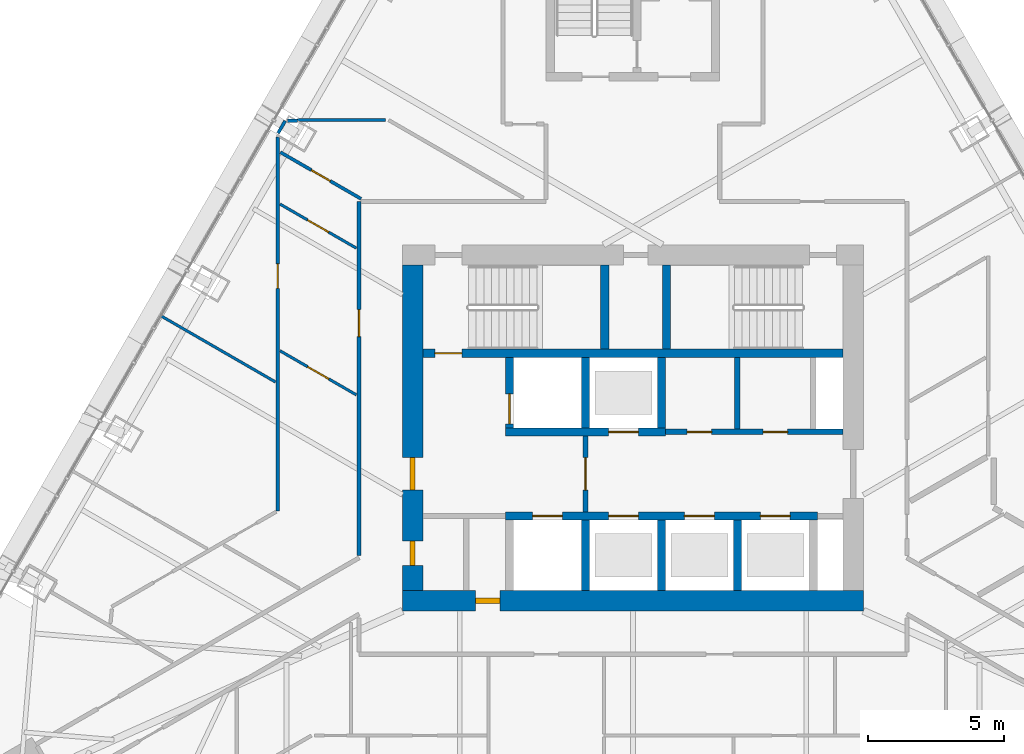
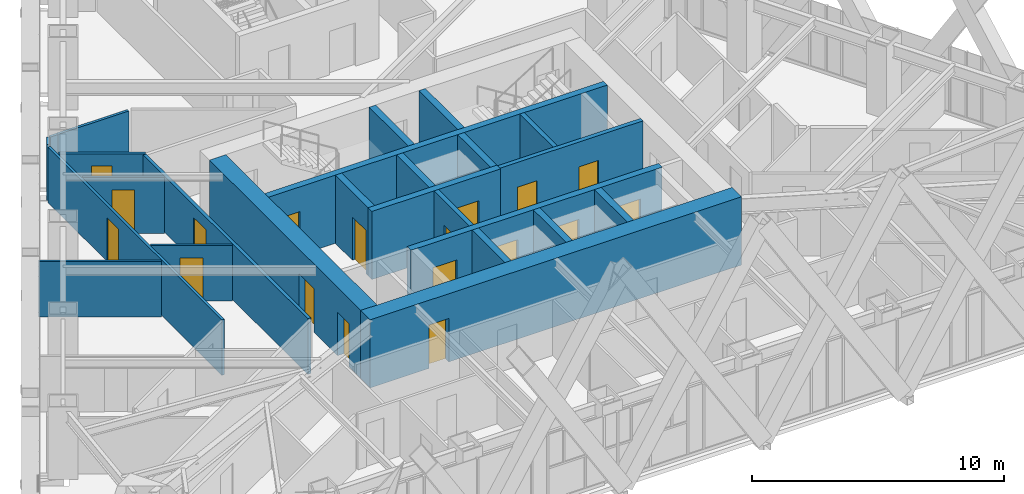
# One storey, part 17 of 21: 25 walls, 18 doors, 18 openings.
"""IFC4 building model written with IfcOpenShell, lengths in metres."""

from ifc_helpers import new_model, si_unit, direction, frame, frame_2d, origin, place, context, subcontext, project, spatial, rectangle, extrude, material, layer, layer_set, type_object, element, fill, save


model = new_model("IFC4")

# Units and contexts
model_context = context("Model", 3, precision=1e-05, world=origin(), true_north=direction((0.0, 1.0)))
body_context = subcontext(model_context, "Body", "Model", "MODEL_VIEW")
ifc_project = project(units=[si_unit("LENGTHUNIT", "METRE"), si_unit("AREAUNIT", "SQUARE_METRE"), si_unit("VOLUMEUNIT", "CUBIC_METRE"), si_unit("PLANEANGLEUNIT", "RADIAN"), si_unit("MASSUNIT", "GRAM", prefix="KILO")], contexts=[model_context])

# Site, building, storey
site_placement = place(None, origin())
site = spatial("IfcSite", under=ifc_project, at=site_placement, CompositionType="ELEMENT")
building_placement = place(site_placement, origin())
building = spatial("IfcBuilding", under=site, at=building_placement, Name="Firuza Gate Tower and Library", CompositionType="ELEMENT")
storey_placement = place(building_placement, frame((0.0, 0.0, 281.10009765625)))
storey = spatial("IfcBuildingStorey", under=building, at=storey_placement, Name="L67", CompositionType="ELEMENT", Elevation=281.10009765625)

# Wall, openings, doors
ifc_material_1 = material(Name="Plasterboard on steel studs", Category="steel")
ifc_layer_1 = layer(ifc_material_1, 0.199951171875)
ifc_layer_set_1 = layer_set([ifc_layer_1], Name="Core partition 200 EI 120")
wall_type_1 = type_object("IfcWallType", Name="Core partition 200 EI 120", PredefinedType="PARTITIONING", material=ifc_layer_set_1)
wall_1_placement = place(storey_placement, frame((76.199951171875, 74.85009765625, 0.0), z_axis=(0.0, 0.0, 1.0), x_axis=(1.0, 0.0, 0.0)))
wall_1 = element("IfcWall", 1, at=wall_1_placement, inside=storey, type_object=wall_type_1, Name="Core partition L67 3", PredefinedType="PARTITIONING", context=body_context, shape_type="SweptSolid", body=[
    extrude(rectangle(XDim=6.550048828125, YDim=0.199951171875, at=frame_2d((3.27490234375, 0.0))), origin(), (0.0, 0.0, 1.0), 3.2998046875),
])
opening_1_placement = place(wall_1_placement, frame((0.800048828125, 0.0, 0.0)))
opening_1 = element("IfcOpeningElement", 2, at=opening_1_placement, cuts=wall_1, Name="Opening L67-K19", PredefinedType="OPENING", context=body_context, shape_type="SweptSolid", body=[
    extrude(rectangle(XDim=0.89990234375, YDim=2.10009765625, at=frame_2d((0.449951171875, 1.050048828125))), frame((0.0, 0.10986328125, 0.0), z_axis=(0.0, -1.0, 0.0), x_axis=(1.0, 0.0, 0.0)), (0.0, 0.0, 1.0), 0.219970703125),
])
opening_2_placement = place(wall_1_placement, frame((3.60009765625, 0.0, 0.0)))
opening_2 = element("IfcOpeningElement", 3, at=opening_2_placement, cuts=wall_1, Name="Opening L67-K20", PredefinedType="OPENING", context=body_context, shape_type="SweptSolid", body=[
    extrude(rectangle(XDim=0.89990234375, YDim=2.10009765625, at=frame_2d((0.449951171875, 1.050048828125))), frame((0.0, 0.10986328125, 0.0), z_axis=(0.0, -1.0, 0.0), x_axis=(1.0, 0.0, 0.0)), (0.0, 0.0, 1.0), 0.219970703125),
])
ifc_material_2 = material(Name="Steel", Category="steel")
door_type_1 = type_object("IfcDoorType", Name="Fire door 900x2100 FD30S", OperationType="NOTDEFINED", PredefinedType="DOOR", material=ifc_material_2)
door_1_placement = place(opening_1_placement, origin())
door_1 = element("IfcDoor", 4, at=door_1_placement, inside=storey, type_object=door_type_1, Name="Door L67-K19", OperationType="SINGLE_SWING_RIGHT", OverallHeight=2.10009765625, OverallWidth=0.89990234375, PredefinedType="DOOR", context=body_context, shape_type="SweptSolid", body=[
    extrude(rectangle(XDim=0.89990234375, YDim=2.10009765625, at=frame_2d((0.449951171875, 1.050048828125))), frame((0.0, 0.02490234375, 0.0), z_axis=(0.0, -1.0, 0.0), x_axis=(1.0, 0.0, 0.0)), (0.0, 0.0, 1.0), 0.050048828125),
])
fill(opening_1, door_1)
door_2_placement = place(opening_2_placement, origin())
door_2 = element("IfcDoor", 5, at=door_2_placement, inside=storey, type_object=door_type_1, Name="Door L67-K20", OperationType="SINGLE_SWING_LEFT", OverallHeight=2.10009765625, OverallWidth=0.89990234375, PredefinedType="DOOR", context=body_context, shape_type="SweptSolid", body=[
    extrude(rectangle(XDim=0.89990234375, YDim=2.10009765625, at=frame_2d((0.449951171875, 1.050048828125))), frame((0.0, 0.02490234375, 0.0), z_axis=(0.0, -1.0, 0.0), x_axis=(1.0, 0.0, 0.0)), (0.0, 0.0, 1.0), 0.050048828125),
])
fill(opening_2, door_2)

# Wall
wall_2_placement = place(storey_placement, frame((78.85009765625, 74.949951171875, 0.0), z_axis=(0.0, 0.0, 1.0), x_axis=(0.0, 1.0, 0.0)))
element("IfcWall", 6, at=wall_2_placement, inside=storey, type_object=wall_type_1, Name="Core partition L67 6", PredefinedType="PARTITIONING", context=body_context, shape_type="SweptSolid", body=[
    extrude(rectangle(XDim=2.650146484375, YDim=0.199951171875, at=frame_2d((1.3251953125, 0.0))), origin(), (0.0, 0.0, 1.0), 3.2998046875),
])

# Wall, opening, door
ifc_material_3 = material(Name="Plasterboard on steel studs", Category="steel")
ifc_layer_2 = layer(ifc_material_3, 0.199951171875)
ifc_layer_set_2 = layer_set([ifc_layer_2], Name="Core partition 200 EI 60")
wall_type_2 = type_object("IfcWallType", Name="Core partition 200 EI 60", PredefinedType="PARTITIONING", material=ifc_layer_set_2)
wall_3_placement = place(storey_placement, frame((73.25, 71.89990234375, 0.0), z_axis=(0.0, 0.0, 1.0), x_axis=(0.0, 1.0, 0.0)))
wall_3 = element("IfcWall", 7, at=wall_3_placement, inside=storey, type_object=wall_type_2, Name="Core partition L67 5", PredefinedType="PARTITIONING", context=body_context, shape_type="SweptSolid", body=[
    extrude(rectangle(XDim=2.800048828125, YDim=0.199951171875, at=frame_2d((1.39990234375, 0.0))), origin(), (0.0, 0.0, 1.0), 3.2998046875),
])
opening_3_placement = place(wall_3_placement, frame((0.800048828125, 0.0, 0.0)))
opening_3 = element("IfcOpeningElement", 8, at=opening_3_placement, cuts=wall_3, Name="Opening L67-K14", PredefinedType="OPENING", context=body_context, shape_type="SweptSolid", body=[
    extrude(rectangle(XDim=1.199951171875, YDim=2.10009765625, at=frame_2d((0.60009765625, 1.050048828125))), frame((0.0, 0.10986328125, 0.0), z_axis=(0.0, -1.0, 0.0), x_axis=(1.0, 0.0, 0.0)), (0.0, 0.0, 1.0), 0.219970703125),
])
ifc_material_4 = material(Name="Steel", Category="steel")
door_type_2 = type_object("IfcDoorType", Name="Fire door 1200x2100 FD90S", OperationType="NOTDEFINED", PredefinedType="DOOR", material=ifc_material_4)
door_3_placement = place(opening_3_placement, origin())
door_3 = element("IfcDoor", 9, at=door_3_placement, inside=storey, type_object=door_type_2, Name="Door L67-K14", OperationType="SINGLE_SWING_LEFT", OverallHeight=2.10009765625, OverallWidth=1.199951171875, PredefinedType="DOOR", context=body_context, shape_type="SweptSolid", body=[
    extrude(rectangle(XDim=1.199951171875, YDim=2.10009765625, at=frame_2d((0.60009765625, 1.050048828125))), frame((0.0, 0.02490234375, 0.0), z_axis=(0.0, -1.0, 0.0), x_axis=(1.0, 0.0, 0.0)), (0.0, 0.0, 1.0), 0.050048828125),
])
fill(opening_3, door_3)

# Wall, openings, doors
ifc_material_5 = material(Name="Concrete C60/75", Category="concrete")
ifc_layer_3 = layer(ifc_material_5, 0.300048828125)
ifc_layer_set_3 = layer_set([ifc_layer_3], Name="Core wall 300 C60/75")
wall_type_3 = type_object("IfcWallType", Name="Core wall 300 C60/75", PredefinedType="SHEAR", material=ifc_layer_set_3)
wall_4_placement = place(storey_placement, frame((70.300048828125, 71.75, 0.0), z_axis=(0.0, 0.0, 1.0), x_axis=(1.0, 0.0, 0.0)))
wall_4 = element("IfcWall", 10, at=wall_4_placement, inside=storey, type_object=wall_type_3, Name="Core wall L67 5", PredefinedType="SHEAR", context=body_context, shape_type="SweptSolid", body=[
    extrude(rectangle(XDim=11.5, YDim=0.300048828125, at=frame_2d((5.75, 0.0))), origin(), (0.0, 0.0, 1.0), 3.2998046875),
])
opening_4_placement = place(wall_4_placement, frame((1.0, 0.0, 0.0)))
opening_4 = element("IfcOpeningElement", 11, at=opening_4_placement, cuts=wall_4, Name="Opening LD-FF1-L67", PredefinedType="OPENING", context=body_context, shape_type="SweptSolid", body=[
    extrude(rectangle(XDim=1.10009765625, YDim=2.10009765625, at=frame_2d((0.550048828125, 1.050048828125))), frame((0.0, 0.16015625, 0.0), z_axis=(0.0, -1.0, 0.0), x_axis=(1.0, 0.0, 0.0)), (0.0, 0.0, 1.0), 0.320068359375),
])
opening_5_placement = place(wall_4_placement, frame((3.800048828125, 0.0, 0.0)))
opening_5 = element("IfcOpeningElement", 12, at=opening_5_placement, cuts=wall_4, Name="Opening LD-HR1-L67", PredefinedType="OPENING", context=body_context, shape_type="SweptSolid", body=[
    extrude(rectangle(XDim=1.10009765625, YDim=2.10009765625, at=frame_2d((0.550048828125, 1.050048828125))), frame((0.0, 0.16015625, 0.0), z_axis=(0.0, -1.0, 0.0), x_axis=(1.0, 0.0, 0.0)), (0.0, 0.0, 1.0), 0.320068359375),
])
opening_6_placement = place(wall_4_placement, frame((6.60009765625, 0.0, 0.0)))
opening_6 = element("IfcOpeningElement", 13, at=opening_6_placement, cuts=wall_4, Name="Opening LD-HR2-L67", PredefinedType="OPENING", context=body_context, shape_type="SweptSolid", body=[
    extrude(rectangle(XDim=1.10009765625, YDim=2.10009765625, at=frame_2d((0.550048828125, 1.050048828125))), frame((0.0, 0.16015625, 0.0), z_axis=(0.0, -1.0, 0.0), x_axis=(1.0, 0.0, 0.0)), (0.0, 0.0, 1.0), 0.320068359375),
])
opening_7_placement = place(wall_4_placement, frame((9.39990234375, 0.0, 0.0)))
opening_7 = element("IfcOpeningElement", 14, at=opening_7_placement, cuts=wall_4, Name="Opening LD-HR3-L67", PredefinedType="OPENING", context=body_context, shape_type="SweptSolid", body=[
    extrude(rectangle(XDim=1.10009765625, YDim=2.10009765625, at=frame_2d((0.550048828125, 1.050048828125))), frame((0.0, 0.16015625, 0.0), z_axis=(0.0, -1.0, 0.0), x_axis=(1.0, 0.0, 0.0)), (0.0, 0.0, 1.0), 0.320068359375),
])
ifc_material_6 = material(Name="Stainless steel", Category="steel")
door_type_3 = type_object("IfcDoorType", Name="Lift landing door 1100x2100", OperationType="DOUBLE_DOOR_SLIDING", PredefinedType="DOOR", material=ifc_material_6)
door_4_placement = place(opening_4_placement, origin())
door_4 = element("IfcDoor", 15, at=door_4_placement, inside=storey, type_object=door_type_3, Name="Landing door FF1 L67", OperationType="DOUBLE_DOOR_SLIDING", OverallHeight=2.10009765625, OverallWidth=1.10009765625, PredefinedType="DOOR", context=body_context, shape_type="SweptSolid", body=[
    extrude(rectangle(XDim=1.10009765625, YDim=2.10009765625, at=frame_2d((0.550048828125, 1.050048828125))), frame((0.0, 0.02490234375, 0.0), z_axis=(0.0, -1.0, 0.0), x_axis=(1.0, 0.0, 0.0)), (0.0, 0.0, 1.0), 0.050048828125),
])
fill(opening_4, door_4)
door_5_placement = place(opening_5_placement, origin())
door_5 = element("IfcDoor", 16, at=door_5_placement, inside=storey, type_object=door_type_3, Name="Landing door HR1 L67", OperationType="DOUBLE_DOOR_SLIDING", OverallHeight=2.10009765625, OverallWidth=1.10009765625, PredefinedType="DOOR", context=body_context, shape_type="SweptSolid", body=[
    extrude(rectangle(XDim=1.10009765625, YDim=2.10009765625, at=frame_2d((0.550048828125, 1.050048828125))), frame((0.0, 0.02490234375, 0.0), z_axis=(0.0, -1.0, 0.0), x_axis=(1.0, 0.0, 0.0)), (0.0, 0.0, 1.0), 0.050048828125),
])
fill(opening_5, door_5)
door_6_placement = place(opening_6_placement, origin())
door_6 = element("IfcDoor", 17, at=door_6_placement, inside=storey, type_object=door_type_3, Name="Landing door HR2 L67", OperationType="DOUBLE_DOOR_SLIDING", OverallHeight=2.10009765625, OverallWidth=1.10009765625, PredefinedType="DOOR", context=body_context, shape_type="SweptSolid", body=[
    extrude(rectangle(XDim=1.10009765625, YDim=2.10009765625, at=frame_2d((0.550048828125, 1.050048828125))), frame((0.0, 0.02490234375, 0.0), z_axis=(0.0, -1.0, 0.0), x_axis=(1.0, 0.0, 0.0)), (0.0, 0.0, 1.0), 0.050048828125),
])
fill(opening_6, door_6)
door_7_placement = place(opening_7_placement, origin())
door_7 = element("IfcDoor", 18, at=door_7_placement, inside=storey, type_object=door_type_3, Name="Landing door HR3 L67", OperationType="DOUBLE_DOOR_SLIDING", OverallHeight=2.10009765625, OverallWidth=1.10009765625, PredefinedType="DOOR", context=body_context, shape_type="SweptSolid", body=[
    extrude(rectangle(XDim=1.10009765625, YDim=2.10009765625, at=frame_2d((0.550048828125, 1.050048828125))), frame((0.0, 0.02490234375, 0.0), z_axis=(0.0, -1.0, 0.0), x_axis=(1.0, 0.0, 0.0)), (0.0, 0.0, 1.0), 0.050048828125),
])
fill(opening_7, door_7)

# Wall, opening, door
wall_5_placement = place(storey_placement, frame((70.300048828125, 74.85009765625, 0.0), z_axis=(0.0, 0.0, 1.0), x_axis=(1.0, 0.0, 0.0)))
wall_5 = element("IfcWall", 19, at=wall_5_placement, inside=storey, type_object=wall_type_3, Name="Core wall L67 6", PredefinedType="SHEAR", context=body_context, shape_type="SweptSolid", body=[
    extrude(rectangle(XDim=5.89990234375, YDim=0.300048828125, at=frame_2d((2.949951171875, 0.0))), origin(), (0.0, 0.0, 1.0), 3.2998046875),
])
opening_8_placement = place(wall_5_placement, frame((3.800048828125, 0.0, 0.0)))
opening_8 = element("IfcOpeningElement", 20, at=opening_8_placement, cuts=wall_5, Name="Opening LD-HR4-L67", PredefinedType="OPENING", context=body_context, shape_type="SweptSolid", body=[
    extrude(rectangle(XDim=1.10009765625, YDim=2.10009765625, at=frame_2d((0.550048828125, 1.050048828125))), frame((0.0, 0.16015625, 0.0), z_axis=(0.0, -1.0, 0.0), x_axis=(1.0, 0.0, 0.0)), (0.0, 0.0, 1.0), 0.320068359375),
])
door_8_placement = place(opening_8_placement, origin())
door_8 = element("IfcDoor", 21, at=door_8_placement, inside=storey, type_object=door_type_3, Name="Landing door HR4 L67", OperationType="DOUBLE_DOOR_SLIDING", OverallHeight=2.10009765625, OverallWidth=1.10009765625, PredefinedType="DOOR", context=body_context, shape_type="SweptSolid", body=[
    extrude(rectangle(XDim=1.10009765625, YDim=2.10009765625, at=frame_2d((0.550048828125, 1.050048828125))), frame((0.0, 0.02490234375, 0.0), z_axis=(0.0, -1.0, 0.0), x_axis=(1.0, 0.0, 0.0)), (0.0, 0.0, 1.0), 0.050048828125),
])
fill(opening_8, door_8)

wall_6_placement = place(storey_placement, frame((70.449951171875, 75.0, 0.0), z_axis=(0.0, 0.0, 1.0), x_axis=(0.0, 1.0, 0.0)))
wall_6 = element("IfcWall", 22, at=wall_6_placement, inside=storey, type_object=wall_type_3, Name="Core wall L67 8", PredefinedType="SHEAR", context=body_context, shape_type="SweptSolid", body=[
    extrude(rectangle(XDim=2.60009765625, YDim=0.300048828125, at=frame_2d((1.300048828125, 0.0))), origin(), (0.0, 0.0, 1.0), 3.2998046875),
])
opening_9_placement = place(wall_6_placement, frame((0.14990234375, 0.0, 0.0)))
opening_9 = element("IfcOpeningElement", 23, at=opening_9_placement, cuts=wall_6, Name="Opening LD-FF2-L67", PredefinedType="OPENING", context=body_context, shape_type="SweptSolid", body=[
    extrude(rectangle(XDim=1.10009765625, YDim=2.10009765625, at=frame_2d((0.550048828125, 1.050048828125))), frame((0.0, 0.16015625, 0.0), z_axis=(0.0, -1.0, 0.0), x_axis=(1.0, 0.0, 0.0)), (0.0, 0.0, 1.0), 0.320068359375),
])
door_9_placement = place(opening_9_placement, origin())
door_9 = element("IfcDoor", 24, at=door_9_placement, inside=storey, type_object=door_type_3, Name="Landing door FF2 L67", OperationType="DOUBLE_DOOR_SLIDING", OverallHeight=2.10009765625, OverallWidth=1.10009765625, PredefinedType="DOOR", context=body_context, shape_type="SweptSolid", body=[
    extrude(rectangle(XDim=1.10009765625, YDim=2.10009765625, at=frame_2d((0.550048828125, 1.050048828125))), frame((0.0, 0.02490234375, 0.0), z_axis=(0.0, -1.0, 0.0), x_axis=(1.0, 0.0, 0.0)), (0.0, 0.0, 1.0), 0.050048828125),
])
fill(opening_9, door_9)

# Walls
for number, where, z_axis, x_axis, name in (
    (25, (73.25, 69.0, 0.0), (0.0, 0.0, 1.0), (0.0, 1.0, 0.0), "Core wall L67 9"),
    (26, (73.25, 75.0, 0.0), (0.0, 0.0, 1.0), (0.0, 1.0, 0.0), "Core wall L67 10"),
    (27, (76.050048828125, 69.0, 0.0), (0.0, 0.0, 1.0), (0.0, 1.0, 0.0), "Core wall L67 11"),
    (28, (76.050048828125, 75.0, 0.0), (0.0, 0.0, 1.0), (0.0, 1.0, 0.0), "Core wall L67 12"),
    (29, (78.85009765625, 69.0, 0.0), (0.0, 0.0, 1.0), (0.0, 1.0, 0.0), "Core wall L67 13"),
):
    element("IfcWall", number, at=place(storey_placement, frame(where, z_axis=z_axis, x_axis=x_axis)), inside=storey, type_object=wall_type_3, Name=name, PredefinedType="SHEAR", context=body_context, shape_type="SweptSolid", body=[
        extrude(rectangle(XDim=2.60009765625, YDim=0.300048828125, at=frame_2d((1.300048828125, 0.0))), origin(), (0.0, 0.0, 1.0), 3.2998046875),
    ])

# Wall, opening, door
wall_7_placement = place(storey_placement, frame((67.25, 77.75, 0.0), z_axis=(0.0, 0.0, 1.0), x_axis=(1.0, 0.0, 0.0)))
wall_7 = element("IfcWall", 30, at=wall_7_placement, inside=storey, type_object=wall_type_3, Name="Core wall L67 15", PredefinedType="SHEAR", context=body_context, shape_type="SweptSolid", body=[
    extrude(rectangle(XDim=15.5, YDim=0.300048828125, at=frame_2d((7.75, 0.0))), origin(), (0.0, 0.0, 1.0), 3.2998046875),
])
opening_10_placement = place(wall_7_placement, frame((0.445068359375, 0.0, 0.0)))
opening_10 = element("IfcOpeningElement", 31, at=opening_10_placement, cuts=wall_7, Name="Opening L67-K08", PredefinedType="OPENING", context=body_context, shape_type="SweptSolid", body=[
    extrude(rectangle(XDim=1.0, YDim=2.10009765625, at=frame_2d((0.5, 1.050048828125))), frame((0.0, 0.16015625, 0.0), z_axis=(0.0, -1.0, 0.0), x_axis=(1.0, 0.0, 0.0)), (0.0, 0.0, 1.0), 0.320068359375),
])
ifc_material_7 = material(Name="Steel", Category="steel")
door_type_4 = type_object("IfcDoorType", Name="Fire door 1000x2100 FD90", OperationType="NOTDEFINED", PredefinedType="DOOR", material=ifc_material_7)
door_10_placement = place(opening_10_placement, origin())
door_10 = element("IfcDoor", 32, at=door_10_placement, inside=storey, type_object=door_type_4, Name="Door L67-K08", OperationType="SINGLE_SWING_LEFT", OverallHeight=2.10009765625, OverallWidth=1.0, PredefinedType="DOOR", context=body_context, shape_type="SweptSolid", body=[
    extrude(rectangle(XDim=1.0, YDim=2.10009765625, at=frame_2d((0.5, 1.050048828125))), frame((0.0, 0.02490234375, 0.0), z_axis=(0.0, -1.0, 0.0), x_axis=(1.0, 0.0, 0.0)), (0.0, 0.0, 1.0), 0.050048828125),
])
fill(opening_10, door_10)

# Walls
for number, where, z_axis, x_axis, name in (
    (33, (73.9599609375, 77.89990234375, 0.0), (0.0, 0.0, 1.0), (0.0, 1.0, 0.0), "Core wall L67 16"),
    (34, (76.239990234375, 77.89990234375, 0.0), (0.0, 0.0, 1.0), (0.0, 1.0, 0.0), "Core wall L67 17"),
):
    element("IfcWall", number, at=place(storey_placement, frame(where, z_axis=z_axis, x_axis=x_axis)), inside=storey, type_object=wall_type_3, Name=name, PredefinedType="SHEAR", context=body_context, shape_type="SweptSolid", body=[
        extrude(rectangle(XDim=3.10009765625, YDim=0.300048828125, at=frame_2d((1.550048828125, 0.0))), origin(), (0.0, 0.0, 1.0), 3.2998046875),
    ])

# Wall, opening, door
ifc_material_8 = material(Name="Concrete C60/75", Category="concrete")
ifc_layer_4 = layer(ifc_material_8, 0.75)
ifc_layer_set_4 = layer_set([ifc_layer_4], Name="Core wall 750 C60/75")
wall_type_4 = type_object("IfcWallType", Name="Core wall 750 C60/75", PredefinedType="SHEAR", material=ifc_layer_set_4)
wall_8_placement = place(storey_placement, frame((66.5, 68.625, 0.0), z_axis=(0.0, 0.0, 1.0), x_axis=(1.0, 0.0, 0.0)))
wall_8 = element("IfcWall", 35, at=wall_8_placement, inside=storey, type_object=wall_type_4, Name="Core wall L67 1", PredefinedType="SHEAR", context=body_context, shape_type="SweptSolid", body=[
    extrude(rectangle(XDim=17.0, YDim=0.75, at=frame_2d((8.5, 0.0))), origin(), (0.0, 0.0, 1.0), 3.2998046875),
])
opening_11_placement = place(wall_8_placement, frame((2.699951171875, 0.0, 0.0)))
opening_11 = element("IfcOpeningElement", 36, at=opening_11_placement, cuts=wall_8, Name="Opening L67-K18", PredefinedType="OPENING", context=body_context, shape_type="SweptSolid", body=[
    extrude(rectangle(XDim=0.89990234375, YDim=2.10009765625, at=frame_2d((0.449951171875, 1.050048828125))), frame((0.0, 0.385009765625, 0.0), z_axis=(0.0, -1.0, 0.0), x_axis=(1.0, 0.0, 0.0)), (0.0, 0.0, 1.0), 0.77001953125),
])
door_11_placement = place(opening_11_placement, origin())
door_11 = element("IfcDoor", 37, at=door_11_placement, inside=storey, type_object=door_type_1, Name="Door L67-K18", OperationType="SINGLE_SWING_LEFT", OverallHeight=2.10009765625, OverallWidth=0.89990234375, PredefinedType="DOOR", context=body_context, shape_type="SweptSolid", body=[
    extrude(rectangle(XDim=0.89990234375, YDim=2.10009765625, at=frame_2d((0.449951171875, 1.050048828125))), frame((0.0, 0.094970703125, 0.0), z_axis=(0.0, -1.0, 0.0), x_axis=(1.0, 0.0, 0.0)), (0.0, 0.0, 1.0), 0.18994140625),
])
fill(opening_11, door_11)

# Wall, openings, doors
wall_9_placement = place(storey_placement, frame((66.875, 69.0, 0.0), z_axis=(0.0, 0.0, 1.0), x_axis=(0.0, 1.0, 0.0)))
wall_9 = element("IfcWall", 38, at=wall_9_placement, inside=storey, type_object=wall_type_4, Name="Core wall L67 3", PredefinedType="SHEAR", context=body_context, shape_type="SweptSolid", body=[
    extrude(rectangle(XDim=12.0, YDim=0.75, at=frame_2d((6.0, 0.0))), origin(), (0.0, 0.0, 1.0), 3.2998046875),
])
opening_12_placement = place(wall_9_placement, frame((3.699951171875, 0.0, 0.0)))
opening_12 = element("IfcOpeningElement", 39, at=opening_12_placement, cuts=wall_9, Name="Opening L67-K15", PredefinedType="OPENING", context=body_context, shape_type="SweptSolid", body=[
    extrude(rectangle(XDim=1.199951171875, YDim=2.10009765625, at=frame_2d((0.60009765625, 1.050048828125))), frame((0.0, 0.385009765625, 0.0), z_axis=(0.0, -1.0, 0.0), x_axis=(1.0, 0.0, 0.0)), (0.0, 0.0, 1.0), 0.77001953125),
])
opening_13_placement = place(wall_9_placement, frame((0.925048828125, 0.0, 0.0)))
opening_13 = element("IfcOpeningElement", 40, at=opening_13_placement, cuts=wall_9, Name="Opening L67-K17", PredefinedType="OPENING", context=body_context, shape_type="SweptSolid", body=[
    extrude(rectangle(XDim=0.89990234375, YDim=2.10009765625, at=frame_2d((0.449951171875, 1.050048828125))), frame((0.0, 0.385009765625, 0.0), z_axis=(0.0, -1.0, 0.0), x_axis=(1.0, 0.0, 0.0)), (0.0, 0.0, 1.0), 0.77001953125),
])
door_12_placement = place(opening_12_placement, origin())
door_12 = element("IfcDoor", 41, at=door_12_placement, inside=storey, type_object=door_type_2, Name="Door L67-K15", OperationType="SINGLE_SWING_RIGHT", OverallHeight=2.10009765625, OverallWidth=1.199951171875, PredefinedType="DOOR", context=body_context, shape_type="SweptSolid", body=[
    extrude(rectangle(XDim=1.199951171875, YDim=2.10009765625, at=frame_2d((0.60009765625, 1.050048828125))), frame((0.0, 0.094970703125, 0.0), z_axis=(0.0, -1.0, 0.0), x_axis=(1.0, 0.0, 0.0)), (0.0, 0.0, 1.0), 0.18994140625),
])
fill(opening_12, door_12)
door_13_placement = place(opening_13_placement, origin())
door_13 = element("IfcDoor", 42, at=door_13_placement, inside=storey, type_object=door_type_1, Name="Door L67-K17", OperationType="SINGLE_SWING_RIGHT", OverallHeight=2.10009765625, OverallWidth=0.89990234375, PredefinedType="DOOR", context=body_context, shape_type="SweptSolid", body=[
    extrude(rectangle(XDim=0.89990234375, YDim=2.10009765625, at=frame_2d((0.449951171875, 1.050048828125))), frame((0.0, 0.094970703125, 0.0), z_axis=(0.0, -1.0, 0.0), x_axis=(1.0, 0.0, 0.0)), (0.0, 0.0, 1.0), 0.18994140625),
])
fill(opening_13, door_13)

# Wall, opening, door
ifc_material_9 = material(Name="Gypsum board partition")
ifc_layer_5 = layer(ifc_material_9, 0.14990234375)
ifc_layer_set_5 = layer_set([ifc_layer_5], Name="Corridor wall 150 double board on steel studs")
wall_type_5 = type_object("IfcWallType", Name="Corridor wall 150 double board on steel studs", PredefinedType="PARTITIONING", material=ifc_layer_set_5)
wall_10_placement = place(storey_placement, frame((64.89990234375, 70.294677734375, 0.0), z_axis=(0.0, 0.0, 1.0), x_axis=(0.0, 1.0, 0.0)))
wall_10 = element("IfcWall", 43, at=wall_10_placement, inside=storey, type_object=wall_type_5, Name="f:L67:w058", PredefinedType="PARTITIONING", context=body_context, shape_type="SweptSolid", body=[
    extrude(rectangle(XDim=13.055419921875, YDim=0.14990234375, at=frame_2d((6.52783203125, 0.0))), origin(), (0.0, 0.0, 1.0), 2.699951171875),
])
opening_14_placement = place(wall_10_placement, frame((8.069580078125, 0.0, 0.0)))
opening_14 = element("IfcOpeningElement", 44, at=opening_14_placement, cuts=wall_10, Name="Opening L67-22", PredefinedType="OPENING", context=body_context, shape_type="SweptSolid", body=[
    extrude(rectangle(XDim=1.0, YDim=2.10009765625, at=frame_2d((0.5, 1.050048828125))), frame((0.0, 0.0849609375, 0.0), z_axis=(0.0, -1.0, 0.0), x_axis=(1.0, 0.0, 0.0)), (0.0, 0.0, 1.0), 0.169921875),
])
ifc_material_10 = material(Name="Steel door and timber leaf", Category="steel")
door_type_5 = type_object("IfcDoorType", Name="Fire door 1000 x 2100 steel frame, timber leaf", OperationType="NOTDEFINED", PredefinedType="DOOR", material=ifc_material_10)
door_14_placement = place(opening_14_placement, origin())
door_14 = element("IfcDoor", 45, at=door_14_placement, inside=storey, type_object=door_type_5, Name="f:L67:d022", OperationType="SINGLE_SWING_RIGHT", OverallHeight=2.10009765625, OverallWidth=1.0, PredefinedType="DOOR", context=body_context, shape_type="SweptSolid", body=[
    extrude(rectangle(XDim=1.0, YDim=2.10009765625, at=frame_2d((0.5, 1.050048828125))), frame((0.0, 0.02490234375, 0.0), z_axis=(0.0, -1.0, 0.0), x_axis=(1.0, 0.0, 0.0)), (0.0, 0.0, 1.0), 0.050048828125),
])
fill(opening_14, door_14)

ifc_material_11 = material(Name="Gypsum board partition")
ifc_layer_6 = layer(ifc_material_11, 0.10009765625)
ifc_layer_set_6 = layer_set([ifc_layer_6], Name="Partition 100 gypsum board on steel studs")
wall_type_6 = type_object("IfcWallType", Name="Partition 100 gypsum board on steel studs", PredefinedType="PARTITIONING", material=ifc_layer_set_6)
wall_11_placement = place(storey_placement, frame((61.986083984375, 83.25146484375, 0.0), z_axis=(0.0, 0.0, 1.0), x_axis=(0.866032882975, -0.499987045439, 0.0)))
wall_11 = element("IfcWall", 46, at=wall_11_placement, inside=storey, type_object=wall_type_6, Name="f:L67:w072", PredefinedType="PARTITIONING", context=body_context, shape_type="SweptSolid", body=[
    extrude(rectangle(XDim=3.248046875, YDim=0.10009765625, at=frame_2d((1.6240234375, 0.0))), origin(), (0.0, 0.0, 1.0), 2.699951171875),
])
opening_15_placement = place(wall_11_placement, frame((1.174072265625, 0.0, 0.0)))
opening_15 = element("IfcOpeningElement", 47, at=opening_15_placement, cuts=wall_11, Name="Opening L67-30", PredefinedType="OPENING", context=body_context, shape_type="SweptSolid", body=[
    extrude(rectangle(XDim=0.89990234375, YDim=2.10009765625, at=frame_2d((0.449951171875, 1.050048828125))), frame((0.0, 0.06005859375, 0.0), z_axis=(0.0, -1.0, 0.0), x_axis=(1.0, 0.0, 0.0)), (0.0, 0.0, 1.0), 0.1201171875),
])
ifc_material_12 = material(Name="Timber door", Category="wood")
door_type_6 = type_object("IfcDoorType", Name="Door 900 x 2100 timber leaf", OperationType="NOTDEFINED", PredefinedType="DOOR", material=ifc_material_12)
door_15_placement = place(opening_15_placement, origin())
door_15 = element("IfcDoor", 48, at=door_15_placement, inside=storey, type_object=door_type_6, Name="f:L67:d030", OperationType="SINGLE_SWING_RIGHT", OverallHeight=2.10009765625, OverallWidth=0.89990234375, PredefinedType="DOOR", context=body_context, shape_type="SweptSolid", body=[
    extrude(rectangle(XDim=0.89990234375, YDim=2.10009765625, at=frame_2d((0.449951171875, 1.050048828125))), frame((0.0, 0.02490234375, 0.0), z_axis=(0.0, -1.0, 0.0), x_axis=(1.0, 0.0, 0.0)), (0.0, 0.0, 1.0), 0.050048828125),
])
fill(opening_15, door_15)

wall_12_placement = place(storey_placement, frame((64.798828125, 76.216552734375, 0.0), z_axis=(0.0, 0.0, 1.0), x_axis=(-0.866000336211, 0.500043415797, 0.0)))
wall_12 = element("IfcWall", 49, at=wall_12_placement, inside=storey, type_object=wall_type_6, Name="f:L67:w075", PredefinedType="PARTITIONING", context=body_context, shape_type="SweptSolid", body=[
    extrude(rectangle(XDim=3.248291015625, YDim=0.10009765625, at=frame_2d((1.6240234375, 0.0))), origin(), (0.0, 0.0, 1.0), 2.699951171875),
])
opening_16_placement = place(wall_12_placement, frame((1.174072265625, 0.0, 0.0)))
opening_16 = element("IfcOpeningElement", 50, at=opening_16_placement, cuts=wall_12, Name="Opening L67-32", PredefinedType="OPENING", context=body_context, shape_type="SweptSolid", body=[
    extrude(rectangle(XDim=0.89990234375, YDim=2.10009765625, at=frame_2d((0.449951171875, 1.050048828125))), frame((0.0, 0.06005859375, 0.0), z_axis=(0.0, -1.0, 0.0), x_axis=(1.0, 0.0, 0.0)), (0.0, 0.0, 1.0), 0.1201171875),
])
door_16_placement = place(opening_16_placement, origin())
door_16 = element("IfcDoor", 51, at=door_16_placement, inside=storey, type_object=door_type_6, Name="f:L67:d032", OperationType="SINGLE_SWING_LEFT", OverallHeight=2.10009765625, OverallWidth=0.89990234375, PredefinedType="DOOR", context=body_context, shape_type="SweptSolid", body=[
    extrude(rectangle(XDim=0.89990234375, YDim=2.10009765625, at=frame_2d((0.449951171875, 1.050048828125))), frame((0.0, 0.02490234375, 0.0), z_axis=(0.0, -1.0, 0.0), x_axis=(1.0, 0.0, 0.0)), (0.0, 0.0, 1.0), 0.050048828125),
])
fill(opening_16, door_16)

# Walls
wall_13_placement = place(storey_placement, frame((61.814208984375, 76.69287109375, 0.0), z_axis=(0.0, 0.0, 1.0), x_axis=(-0.866028392017, 0.499994824194, 0.0)))
element("IfcWall", 52, at=wall_13_placement, inside=storey, type_object=wall_type_6, Name="f:L67:w076", PredefinedType="PARTITIONING", context=body_context, shape_type="SweptSolid", body=[
    extrude(rectangle(XDim=4.8623046875, YDim=0.10009765625, at=frame_2d((2.43115234375, 0.0))), origin(), (0.0, 0.0, 1.0), 2.68798828125),
])
ifc_material_13 = material(Name="Gypsum board partition")
ifc_layer_7 = layer(ifc_material_13, 0.1201171875)
ifc_layer_set_7 = layer_set([ifc_layer_7], Name="Wet-area partition 120 moisture-resistant board")
wall_type_7 = type_object("IfcWallType", Name="Wet-area partition 120 moisture-resistant board", PredefinedType="PARTITIONING", material=ifc_layer_set_7)
wall_14_placement = place(storey_placement, frame((62.630615234375, 86.35009765625, 0.0), z_axis=(0.0, 0.0, 1.0), x_axis=(1.0, 0.0, 0.0)))
element("IfcWall", 53, at=wall_14_placement, inside=storey, type_object=wall_type_7, Name="f:L67:w009", PredefinedType="PARTITIONING", context=body_context, shape_type="SweptSolid", body=[
    extrude(rectangle(XDim=3.239501953125, YDim=0.1201171875, at=frame_2d((1.61962890625, 0.0))), origin(), (0.0, 0.0, 1.0), 2.68798828125),
])
wall_15_placement = place(storey_placement, frame((62.26025390625, 86.330078125, 0.0), z_axis=(0.0, 0.0, 1.0), x_axis=(0.99999977296, 0.000673854294, 0.0)))
element("IfcWall", 54, at=wall_15_placement, inside=storey, type_object=wall_type_7, Name="f:L67:w014", PredefinedType="PARTITIONING", context=body_context, shape_type="SweptSolid", body=[
    extrude(rectangle(XDim=0.3623046875, YDim=0.1201171875, at=frame_2d((0.18115234375, 0.0))), origin(), (0.0, 0.0, 1.0), 2.699951171875),
])
wall_16_placement = place(storey_placement, frame((61.911865234375, 85.86767578125, 0.0), z_axis=(0.0, 0.0, 1.0), x_axis=(0.5002312107, 0.865891873066, 0.0)))
element("IfcWall", 55, at=wall_16_placement, inside=storey, type_object=wall_type_7, Name="f:L67:w033", PredefinedType="PARTITIONING", context=body_context, shape_type="SweptSolid", body=[
    extrude(rectangle(XDim=0.526123046875, YDim=0.1201171875, at=frame_2d((0.26318359375, 0.0))), origin(), (0.0, 0.0, 1.0), 2.699951171875),
])

# Wall, opening, door
wall_17_placement = place(storey_placement, frame((61.89990234375, 71.93994140625, 0.0), z_axis=(0.0, 0.0, 1.0), x_axis=(0.0, 1.0, 0.0)))
wall_17 = element("IfcWall", 56, at=wall_17_placement, inside=storey, type_object=wall_type_7, Name="f:L67:w060", PredefinedType="PARTITIONING", context=body_context, shape_type="SweptSolid", body=[
    extrude(rectangle(XDim=13.791748046875, YDim=0.1201171875, at=frame_2d((6.89599609375, 0.0))), origin(), (0.0, 0.0, 1.0), 2.68798828125),
])
opening_17_placement = place(wall_17_placement, frame((8.20556640625, 0.0, 0.0)))
opening_17 = element("IfcOpeningElement", 57, at=opening_17_placement, cuts=wall_17, Name="Opening L67-23", PredefinedType="OPENING", context=body_context, shape_type="SweptSolid", body=[
    extrude(rectangle(XDim=0.89990234375, YDim=2.10009765625, at=frame_2d((0.449951171875, 1.050048828125))), frame((0.0, 0.070068359375, 0.0), z_axis=(0.0, -1.0, 0.0), x_axis=(1.0, 0.0, 0.0)), (0.0, 0.0, 1.0), 0.14013671875),
])
door_17_placement = place(opening_17_placement, origin())
door_17 = element("IfcDoor", 58, at=door_17_placement, inside=storey, type_object=door_type_6, Name="f:L67:d023", OperationType="SINGLE_SWING_RIGHT", OverallHeight=2.10009765625, OverallWidth=0.89990234375, PredefinedType="DOOR", context=body_context, shape_type="SweptSolid", body=[
    extrude(rectangle(XDim=0.89990234375, YDim=2.10009765625, at=frame_2d((0.449951171875, 1.050048828125))), frame((0.0, 0.02490234375, 0.0), z_axis=(0.0, -1.0, 0.0), x_axis=(1.0, 0.0, 0.0)), (0.0, 0.0, 1.0), 0.050048828125),
])
fill(opening_17, door_17)

wall_18_placement = place(storey_placement, frame((61.994873046875, 85.166748046875, 0.0), z_axis=(0.0, 0.0, 1.0), x_axis=(0.86601316637, -0.500021195224, 0.0)))
wall_18 = element("IfcWall", 59, at=wall_18_placement, inside=storey, type_object=wall_type_7, Name="f:L67:w070", PredefinedType="PARTITIONING", context=body_context, shape_type="SweptSolid", body=[
    extrude(rectangle(XDim=3.442626953125, YDim=0.1201171875, at=frame_2d((1.72119140625, 0.0))), origin(), (0.0, 0.0, 1.0), 2.68798828125),
])
opening_18_placement = place(wall_18_placement, frame((1.3212890625, 0.0, 0.0)))
opening_18 = element("IfcOpeningElement", 60, at=opening_18_placement, cuts=wall_18, Name="Opening L67-26", PredefinedType="OPENING", context=body_context, shape_type="SweptSolid", body=[
    extrude(rectangle(XDim=0.800048828125, YDim=2.10009765625, at=frame_2d((0.39990234375, 1.050048828125))), frame((0.0, 0.070068359375, 0.0), z_axis=(0.0, -1.0, 0.0), x_axis=(1.0, 0.0, 0.0)), (0.0, 0.0, 1.0), 0.14013671875),
])
ifc_material_14 = material(Name="Timber door", Category="wood")
door_type_7 = type_object("IfcDoorType", Name="Door 800 x 2100 timber leaf", OperationType="NOTDEFINED", PredefinedType="DOOR", material=ifc_material_14)
door_18_placement = place(opening_18_placement, origin())
door_18 = element("IfcDoor", 61, at=door_18_placement, inside=storey, type_object=door_type_7, Name="f:L67:d026", OperationType="SINGLE_SWING_RIGHT", OverallHeight=2.10009765625, OverallWidth=0.800048828125, PredefinedType="DOOR", context=body_context, shape_type="SweptSolid", body=[
    extrude(rectangle(XDim=0.800048828125, YDim=2.10009765625, at=frame_2d((0.39990234375, 1.050048828125))), frame((0.0, 0.02490234375, 0.0), z_axis=(0.0, -1.0, 0.0), x_axis=(1.0, 0.0, 0.0)), (0.0, 0.0, 1.0), 0.050048828125),
])
fill(opening_18, door_18)

save(model, "model.ifc")
